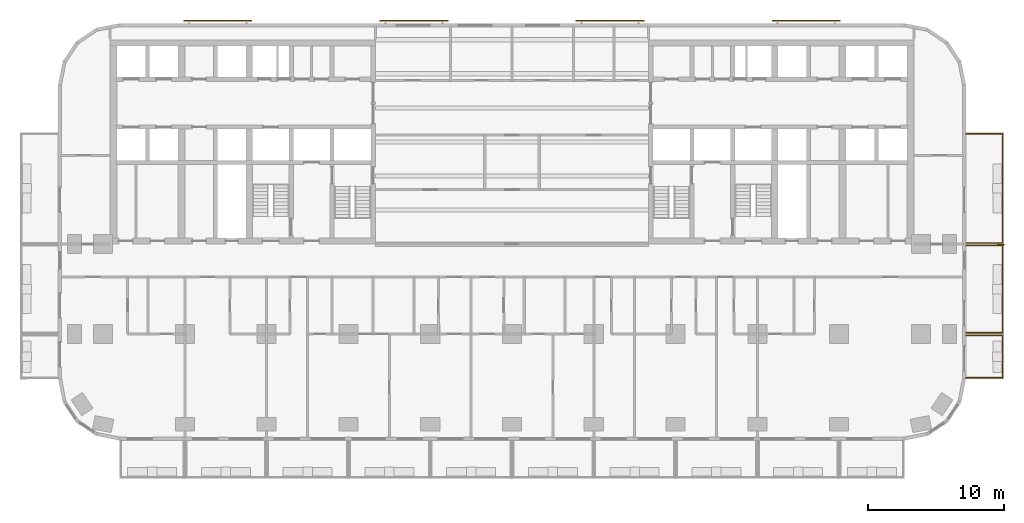
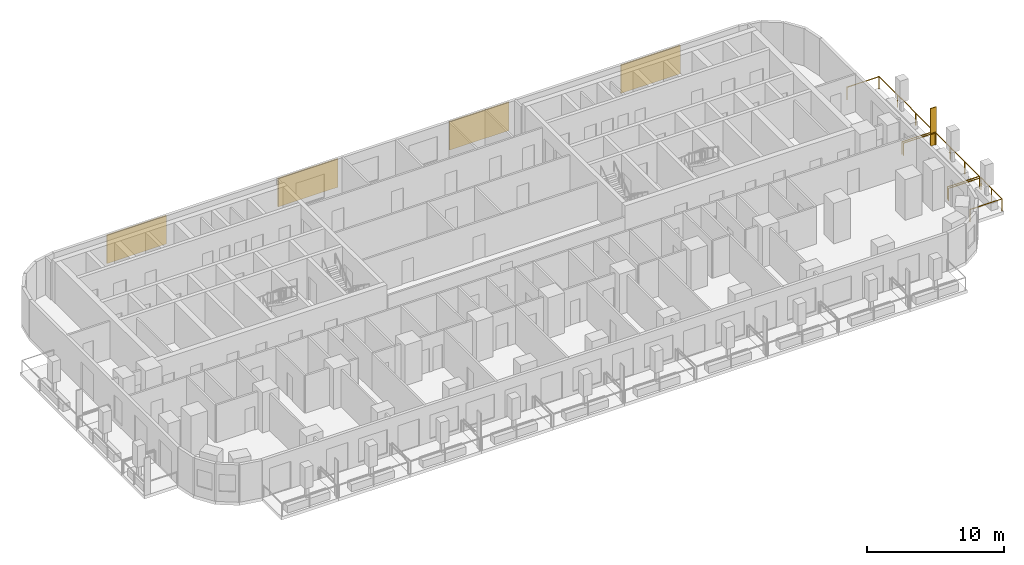
# One storey, part 12 of 13: 5 shading devices, 3 railings.
"""IFC4 building model written with IfcOpenShell, lengths in metres."""

from ifc_helpers import new_model, si_unit, direction, frame, origin, origin_2d, place, context, subcontext, project, spatial, rectangle, circle, extrude, material, layer, layer_set, type_object, element, save


model = new_model("IFC4")

# Units and contexts
model_context = context("Model", 3, precision=1e-05, world=origin(), true_north=direction((0.0, 1.0)))
body_context = subcontext(model_context, "Body", "Model", "MODEL_VIEW")
ifc_project = project(units=[si_unit("LENGTHUNIT", "METRE"), si_unit("AREAUNIT", "SQUARE_METRE"), si_unit("VOLUMEUNIT", "CUBIC_METRE"), si_unit("PLANEANGLEUNIT", "RADIAN"), si_unit("MASSUNIT", "GRAM", prefix="KILO")], contexts=[model_context])

# Site, building, storey
site_placement = place(None, origin())
site = spatial("IfcSite", under=ifc_project, at=site_placement, CompositionType="ELEMENT")
building_placement = place(site_placement, origin())
building = spatial("IfcBuilding", under=site, at=building_placement, Name="Torana Hotel and Residences", CompositionType="ELEMENT")
storey_placement = place(building_placement, frame((0.0, 0.0, 78.0)))
storey = spatial("IfcBuildingStorey", under=building, at=storey_placement, Name="L19", CompositionType="ELEMENT", Elevation=78.0)

# Shading device
ifc_material_1 = material(Name="Black powder coated aluminium", Category="aluminium")
ifc_layer_1 = layer(ifc_material_1, 0.080078125)
ifc_layer_set_1 = layer_set([ifc_layer_1], Name="FN1 VERTICAL FIN 500x80")
shading_device_type_1 = type_object("IfcShadingDeviceType", Name="FN1 VERTICAL FIN 500x80", PredefinedType="USERDEFINED", material=ifc_layer_set_1)
shading_device_placement = place(storey_placement, frame((35.85009765625, -15.0400390625, 0.0), z_axis=(0.0, 0.0, 1.0), x_axis=(0.0, -1.0, 0.0)))
element("IfcShadingDevice", 1, at=shading_device_placement, inside=storey, type_object=shading_device_type_1, Name="Fin 15", ObjectType="FIN", PredefinedType="USERDEFINED", context=body_context, shape_type="SweptSolid", body=[
    extrude(rectangle(XDim=0.080078125, YDim=0.5, at=origin_2d()), origin(), (0.0, 0.0, 1.0), 3.320068359375),
])

# Railings
ifc_material_2 = material(Name="Laminated glass balustrade with black handrail", Category="glass")
railing_type = type_object("IfcRailingType", Name="GR1 BALCONY GUARD 1100 GLASS", PredefinedType="GUARDRAIL", material=ifc_material_2)
railing_1_placement = place(storey_placement, frame((33.300048828125, -21.699951171875, 0.0)))
element("IfcRailing", 2, at=railing_1_placement, inside=storey, type_object=railing_type, Name="Balcony guard 14", PredefinedType="GUARDRAIL", context=body_context, shape_type="SweptSolid", body=[
    extrude(circle(Radius=0.02392578125, at=origin_2d()), frame((0.0, 0.0, 1.076171875), z_axis=(1.0, 0.0, 0.0), x_axis=(0.0, 1.0, 0.0)), (0.0, 0.0, 1.0), 2.699951171875),
    extrude(circle(Radius=0.02392578125, at=origin_2d()), frame((2.699951171875, 0.0, 1.076171875), z_axis=(0.0, -1.0, 0.0), x_axis=(1.0, 0.0, 0.0)), (0.0, 0.0, 1.0), 3.10009765625),
    extrude(circle(Radius=0.02392578125, at=origin_2d()), frame((2.699951171875, -3.10009765625, 1.076171875), z_axis=(-1.0, 0.0, 0.0), x_axis=(0.0, -1.0, 0.0)), (0.0, 0.0, 1.0), 2.699951171875),
    extrude(circle(Radius=0.02099609375, at=origin_2d()), origin(), (0.0, 0.0, 1.0), 1.052001953125),
    extrude(circle(Radius=0.02099609375, at=origin_2d()), frame((2.699951171875, 0.0, 0.0)), (0.0, 0.0, 1.0), 1.052001953125),
    extrude(circle(Radius=0.02099609375, at=origin_2d()), frame((2.699951171875, -1.550048828125, 0.0)), (0.0, 0.0, 1.0), 1.052001953125),
    extrude(circle(Radius=0.02099609375, at=origin_2d()), frame((2.699951171875, -3.10009765625, 0.0)), (0.0, 0.0, 1.0), 1.052001953125),
    extrude(circle(Radius=0.02099609375, at=origin_2d()), frame((0.0, -3.10009765625, 0.0)), (0.0, 0.0, 1.0), 1.052001953125),
])
railing_2_placement = place(storey_placement, frame((33.300048828125, -15.10009765625, 0.0)))
element("IfcRailing", 3, at=railing_2_placement, inside=storey, type_object=railing_type, Name="Balcony guard 15", PredefinedType="GUARDRAIL", context=body_context, shape_type="SweptSolid", body=[
    extrude(circle(Radius=0.02392578125, at=origin_2d()), frame((0.0, 0.0, 1.076171875), z_axis=(1.0, 0.0, 0.0), x_axis=(0.0, 1.0, 0.0)), (0.0, 0.0, 1.0), 2.699951171875),
    extrude(circle(Radius=0.02392578125, at=origin_2d()), frame((2.699951171875, 0.0, 1.076171875), z_axis=(0.0, -1.0, 0.0), x_axis=(1.0, 0.0, 0.0)), (0.0, 0.0, 1.0), 6.39990234375),
    extrude(circle(Radius=0.02392578125, at=origin_2d()), frame((2.699951171875, -6.39990234375, 1.076171875), z_axis=(-1.0, 0.0, 0.0), x_axis=(0.0, -1.0, 0.0)), (0.0, 0.0, 1.0), 2.699951171875),
    extrude(circle(Radius=0.02099609375, at=origin_2d()), origin(), (0.0, 0.0, 1.0), 1.052001953125),
    extrude(circle(Radius=0.02099609375, at=origin_2d()), frame((2.699951171875, 0.0, 0.0)), (0.0, 0.0, 1.0), 1.052001953125),
    extrude(circle(Radius=0.02099609375, at=origin_2d()), frame((2.699951171875, -2.13330078125, 0.0)), (0.0, 0.0, 1.0), 1.052001953125),
    extrude(circle(Radius=0.02099609375, at=origin_2d()), frame((2.699951171875, -4.2666015625, 0.0)), (0.0, 0.0, 1.0), 1.052001953125),
    extrude(circle(Radius=0.02099609375, at=origin_2d()), frame((2.699951171875, -6.39990234375, 0.0)), (0.0, 0.0, 1.0), 1.052001953125),
    extrude(circle(Radius=0.02099609375, at=origin_2d()), frame((0.0, -6.39990234375, 0.0)), (0.0, 0.0, 1.0), 1.052001953125),
])
railing_3_placement = place(storey_placement, frame((33.300048828125, -6.89990234375, 0.0)))
element("IfcRailing", 4, at=railing_3_placement, inside=storey, type_object=railing_type, Name="Balcony guard 16", PredefinedType="GUARDRAIL", context=body_context, shape_type="SweptSolid", body=[
    extrude(circle(Radius=0.02392578125, at=origin_2d()), frame((0.0, 0.0, 1.076171875), z_axis=(1.0, 0.0, 0.0), x_axis=(0.0, 1.0, 0.0)), (0.0, 0.0, 1.0), 2.699951171875),
    extrude(circle(Radius=0.02392578125, at=origin_2d()), frame((2.699951171875, 0.0, 1.076171875), z_axis=(0.0, -1.0, 0.0), x_axis=(1.0, 0.0, 0.0)), (0.0, 0.0, 1.0), 8.0),
    extrude(circle(Radius=0.02392578125, at=origin_2d()), frame((2.699951171875, -8.0, 1.076171875), z_axis=(-1.0, 0.0, 0.0), x_axis=(0.0, -1.0, 0.0)), (0.0, 0.0, 1.0), 2.699951171875),
    extrude(circle(Radius=0.02099609375, at=origin_2d()), origin(), (0.0, 0.0, 1.0), 1.052001953125),
    extrude(circle(Radius=0.02099609375, at=origin_2d()), frame((2.699951171875, 0.0, 0.0)), (0.0, 0.0, 1.0), 1.052001953125),
    extrude(circle(Radius=0.02099609375, at=origin_2d()), frame((2.699951171875, -2.666748046875, 0.0)), (0.0, 0.0, 1.0), 1.052001953125),
    extrude(circle(Radius=0.02099609375, at=origin_2d()), frame((2.699951171875, -5.333251953125, 0.0)), (0.0, 0.0, 1.0), 1.052001953125),
    extrude(circle(Radius=0.02099609375, at=origin_2d()), frame((2.699951171875, -8.0, 0.0)), (0.0, 0.0, 1.0), 1.052001953125),
    extrude(circle(Radius=0.02099609375, at=origin_2d()), frame((0.0, -8.0, 0.0)), (0.0, 0.0, 1.0), 1.052001953125),
])

# Shading devices
ifc_material_3 = material(Name="Concrete C40/50 precast", Category="concrete")
ifc_layer_2 = layer(ifc_material_3, 0.10009765625)
ifc_layer_set_2 = layer_set([ifc_layer_2], Name="SC1 PERFORATED BLOCK SCREEN PANEL 100")
shading_device_type_2 = type_object("IfcShadingDeviceType", Name="SC1 PERFORATED BLOCK SCREEN PANEL 100", PredefinedType="USERDEFINED", material=ifc_layer_set_2)
for number, where, z_axis, x_axis, name in (
    (5, (21.58154296875, 1.39990234375, 0.5), (0.0, 0.0, 1.0), (-1.0, 0.0, 0.0), "Perforated block screen L19"),
    (6, (7.19384765625, 1.39990234375, 0.5), (0.0, 0.0, 1.0), (-1.0, 0.0, 0.0), "Perforated block screen L19"),
    (7, (-7.19384765625, 1.39990234375, 0.5), (0.0, 0.0, 1.0), (-1.0, 0.0, 0.0), "Perforated block screen L19"),
    (8, (-21.58154296875, 1.39990234375, 0.5), (0.0, 0.0, 1.0), (-1.0, 0.0, 0.0), "Perforated block screen L19"),
):
    element("IfcShadingDevice", number, at=place(storey_placement, frame(where, z_axis=z_axis, x_axis=x_axis)), inside=storey, type_object=shading_device_type_2, Name=name, ObjectType="SCREEN", PredefinedType="USERDEFINED", context=body_context, shape_type="SweptSolid", body=[
        extrude(rectangle(XDim=5.0, YDim=0.10009765625, at=origin_2d()), origin(), (0.0, 0.0, 1.0), 2.52001953125),
    ])

save(model, "model.ifc")
